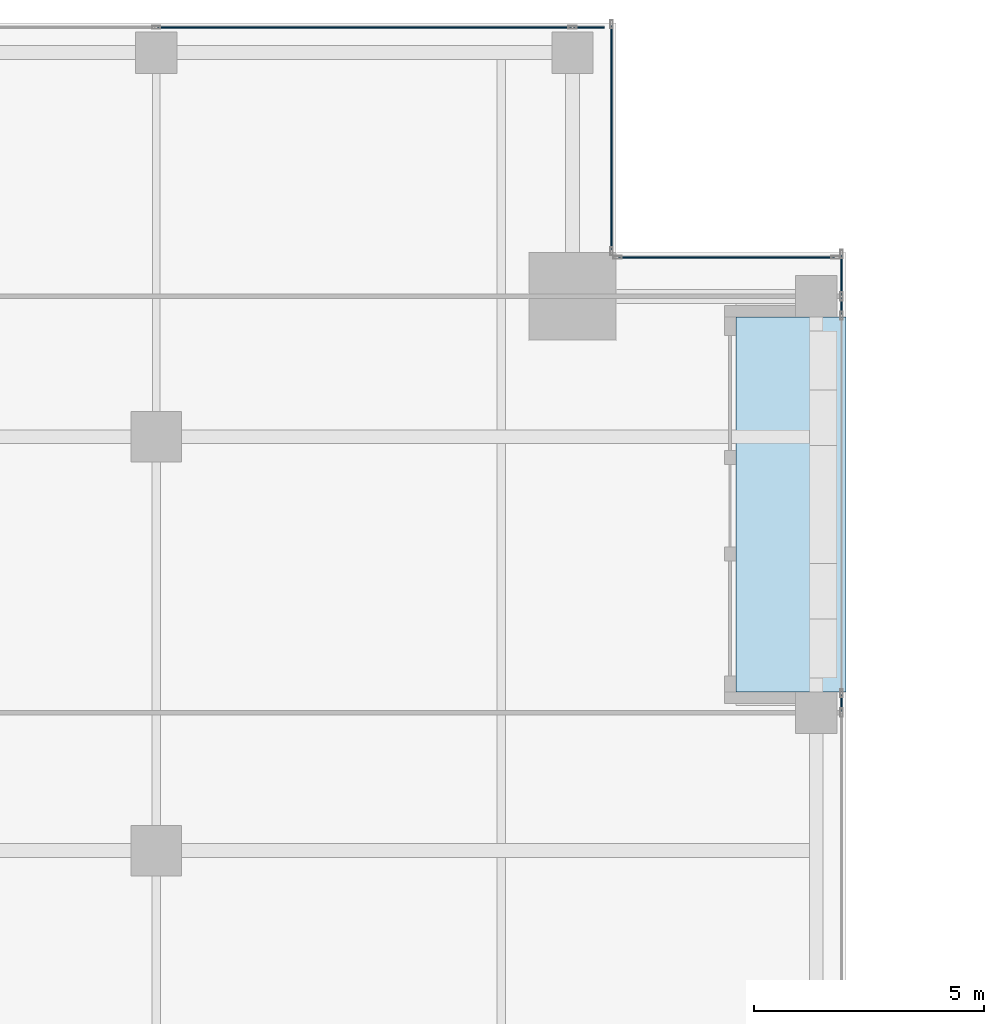
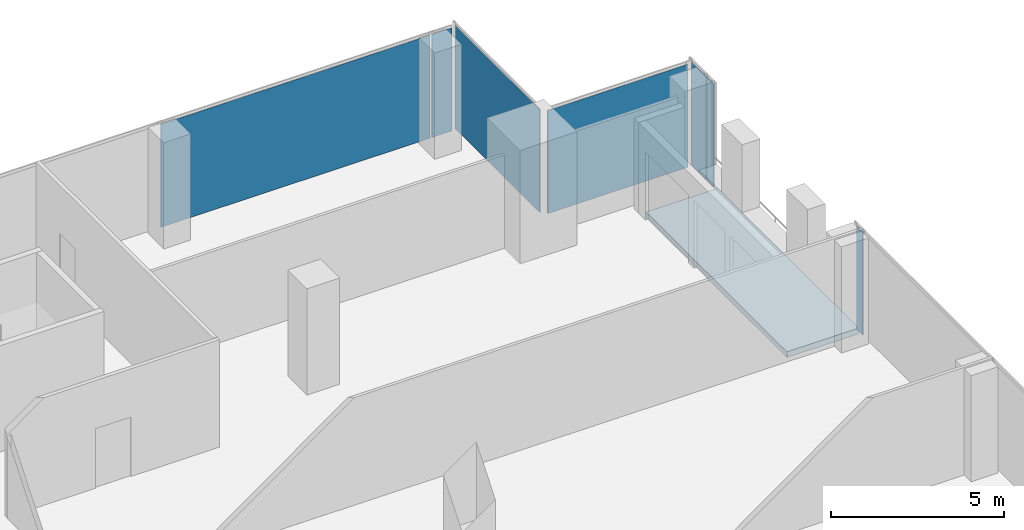
# One storey, part 29 of 35: 7 plates, 1 slab, 5 elements without a shape of their own.
"""IFC4 building model written with IfcOpenShell, lengths in metres."""

from ifc_helpers import new_model, si_unit, direction, frame, origin, origin_2d, place, context, subcontext, project, spatial, polyline, rectangle, outline, extrude, source, transform, mapped, material, layer, layer_set, type_object, element, aggregate, save


model = new_model("IFC4")

# Units and contexts
model_context = context("Model", 3, precision=1e-05, world=origin(), true_north=direction((0.0, 1.0)))
body_context = subcontext(model_context, "Body", "Model", "MODEL_VIEW")
ifc_project = project(units=[si_unit("LENGTHUNIT", "METRE"), si_unit("AREAUNIT", "SQUARE_METRE"), si_unit("VOLUMEUNIT", "CUBIC_METRE"), si_unit("PLANEANGLEUNIT", "RADIAN"), si_unit("MASSUNIT", "GRAM", prefix="KILO")], contexts=[model_context])

# Site, building, storey
site_placement = place(None, origin())
site = spatial("IfcSite", under=ifc_project, at=site_placement, CompositionType="ELEMENT")
building_placement = place(site_placement, origin())
building = spatial("IfcBuilding", under=site, at=building_placement, Name="Khomas Fold Tower", CompositionType="ELEMENT")
storey_placement = place(building_placement, frame((0.0, 0.0, 250.199951171875)))
storey = spatial("IfcBuildingStorey", under=building, at=storey_placement, Name="L56", CompositionType="ELEMENT", Elevation=250.199951171875)

# Curtain wall, plate
ifc_material_1 = material(Name="Aluminium framed double glazing", Category="aluminium")
curtain_wall_type = type_object("IfcCurtainWallType", Name="SK-Unitised clear-glass wall, office floors CW2", PredefinedType="NOTDEFINED", material=ifc_material_1)
curtain_wall_1_placement = place(storey_placement, origin())
curtain_wall_1 = element("IfcCurtainWall", 1, at=curtain_wall_1_placement, inside=storey, type_object=curtain_wall_type, Name="CW2 run L56 06-0", PredefinedType="NOTDEFINED")
ifc_material_2 = material(Name="Clear double glazed unit")
ifc_layer_1 = layer(ifc_material_2, 0.030029296875)
ifc_layer_set_1 = layer_set([ifc_layer_1], Name="Clear double glazed unit")
plate_type = type_object("IfcPlateType", Name="SK-Unitised clear-glass wall, office floors glass panel CW2-P", PredefinedType="CURTAIN_PANEL", material=ifc_layer_set_1)
shared_shape_1 = source(origin(), body_context, "Body", "SweptSolid", [
    extrude(rectangle(XDim=0.659912109375, YDim=0.030029296875, at=origin_2d()), origin(), (0.0, 0.0, 1.0), 3.639892578125),
])
plate_1_placement = place(storey_placement, frame((43.909912109375, 49.39990234375, 0.0), z_axis=(0.0, 0.0, 1.0), x_axis=(-1.0, 0.0, 0.0)))
plate_1 = element("IfcPlate", 2, at=plate_1_placement, type_object=plate_type, Name="CW2 glass panel 1", PredefinedType="CURTAIN_PANEL", context=body_context, shape_type="MappedRepresentation", body=[
    mapped(shared_shape_1, transform((0.0, 0.0, 0.0))),
])

curtain_wall_2_placement = place(storey_placement, origin())
curtain_wall_2 = element("IfcCurtainWall", 3, at=curtain_wall_2_placement, inside=storey, type_object=curtain_wall_type, Name="CW2 run L56 03-1", PredefinedType="NOTDEFINED")
shared_shape_2 = source(origin(), body_context, "Body", "SweptSolid", [
    extrude(rectangle(XDim=0.860107421875, YDim=0.030029296875, at=origin_2d()), origin(), (0.0, 0.0, 1.0), 3.639892578125),
])
plate_2_placement = place(storey_placement, frame((49.39990234375, 44.010009765625, 0.0), z_axis=(0.0, 0.0, 1.0), x_axis=(0.0, 1.0, 0.0)))
plate_2 = element("IfcPlate", 4, at=plate_2_placement, type_object=plate_type, Name="CW2 glass panel 2", PredefinedType="CURTAIN_PANEL", context=body_context, shape_type="MappedRepresentation", body=[
    mapped(shared_shape_2, transform((0.0, 0.0, 0.0))),
])

# Plate
shared_shape_3 = source(origin(), body_context, "Body", "SweptSolid", [
    extrude(rectangle(XDim=8.989990234375, YDim=0.030029296875, at=origin_2d()), origin(), (0.0, 0.0, 1.0), 3.639892578125),
])
plate_3_placement = place(storey_placement, frame((39.02490234375, 49.39990234375, 0.0), z_axis=(0.0, 0.0, 1.0), x_axis=(-1.0, 0.0, 0.0)))
plate_3 = element("IfcPlate", 5, at=plate_3_placement, type_object=plate_type, Name="CW2 glass panel 2", PredefinedType="CURTAIN_PANEL", context=body_context, shape_type="MappedRepresentation", body=[
    mapped(shared_shape_3, transform((0.0, 0.0, 0.0))),
])

aggregate(curtain_wall_1, [plate_1, plate_3])

# Curtain wall, plate
curtain_wall_3_placement = place(storey_placement, origin())
curtain_wall_3 = element("IfcCurtainWall", 6, at=curtain_wall_3_placement, inside=storey, type_object=curtain_wall_type, Name="CW2 corner return L56 04", PredefinedType="NOTDEFINED")
shared_shape_4 = source(origin(), body_context, "Body", "SweptSolid", [
    extrude(rectangle(XDim=4.679931640625, YDim=0.030029296875, at=origin_2d()), origin(), (0.0, 0.0, 1.0), 3.639892578125),
])
plate_4_placement = place(storey_placement, frame((46.89990234375, 44.39990234375, 0.0), z_axis=(0.0, 0.0, 1.0), x_axis=(-1.0, 0.0, 0.0)))
plate_4 = element("IfcPlate", 7, at=plate_4_placement, type_object=plate_type, Name="CW2 glass panel 1", PredefinedType="CURTAIN_PANEL", context=body_context, shape_type="MappedRepresentation", body=[
    mapped(shared_shape_4, transform((0.0, 0.0, 0.0))),
])
aggregate(curtain_wall_3, [plate_4])

curtain_wall_4_placement = place(storey_placement, origin())
curtain_wall_4 = element("IfcCurtainWall", 8, at=curtain_wall_4_placement, inside=storey, type_object=curtain_wall_type, Name="CW2 corner return L56 05", PredefinedType="NOTDEFINED")
shared_shape_5 = source(origin(), body_context, "Body", "SweptSolid", [
    extrude(rectangle(XDim=4.8798828125, YDim=0.030029296875, at=origin_2d()), origin(), (0.0, 0.0, 1.0), 3.639892578125),
])
plate_5_placement = place(storey_placement, frame((44.39990234375, 47.0, 0.0), z_axis=(0.0, 0.0, 1.0), x_axis=(0.0, 1.0, 0.0)))
plate_5 = element("IfcPlate", 9, at=plate_5_placement, type_object=plate_type, Name="CW2 glass panel 1", PredefinedType="CURTAIN_PANEL", context=body_context, shape_type="MappedRepresentation", body=[
    mapped(shared_shape_5, transform((0.0, 0.0, 0.0))),
])
aggregate(curtain_wall_4, [plate_5])

curtain_wall_5_placement = place(storey_placement, origin())
curtain_wall_5 = element("IfcCurtainWall", 10, at=curtain_wall_5_placement, inside=storey, type_object=curtain_wall_type, Name="CW2 run L56 03-0", PredefinedType="NOTDEFINED")
shared_shape_6 = source(origin(), body_context, "Body", "SweptSolid", [
    extrude(rectangle(XDim=0.360107421875, YDim=0.030029296875, at=origin_2d()), origin(), (0.0, 0.0, 1.0), 3.639892578125),
])
plate_6_placement = place(storey_placement, frame((49.39990234375, 34.7099609375, 0.0), z_axis=(0.0, 0.0, 1.0), x_axis=(0.0, 1.0, 0.0)))
plate_6 = element("IfcPlate", 11, at=plate_6_placement, type_object=plate_type, Name="CW2 glass panel 5", PredefinedType="CURTAIN_PANEL", context=body_context, shape_type="MappedRepresentation", body=[
    mapped(shared_shape_6, transform((0.0, 0.0, 0.0))),
])
aggregate(curtain_wall_5, [plate_6])

# Plate
plate_7_placement = place(storey_placement, frame((49.39990234375, 43.340087890625, 0.0), z_axis=(0.0, 0.0, 1.0), x_axis=(0.0, 1.0, 0.0)))
plate_7 = element("IfcPlate", 12, at=plate_7_placement, type_object=plate_type, Name="CW2 glass panel 1", PredefinedType="CURTAIN_PANEL", context=body_context, shape_type="MappedRepresentation", body=[
    mapped(shared_shape_6, transform((0.0, 0.0, 0.0))),
])

aggregate(curtain_wall_2, [plate_7, plate_2])

# Slab
ifc_material_3 = material(Name="Concrete C40/50", Category="concrete")
ifc_layer_2 = layer(ifc_material_3, 0.205078125)
ifc_layer_set_2 = layer_set([ifc_layer_2], Name="Concrete C40/50")
slab_type = type_object("IfcSlabType", Name="BL-Balcony deck 205", PredefinedType="FLOOR", material=ifc_layer_set_2)
shared_shape_7 = source(origin(), body_context, "Body", "SweptSolid", [
    extrude(outline(polyline([(47.10009765625, 34.949951171875), (49.5, 34.949951171875), (49.5, 43.10009765625), (47.10009765625, 43.10009765625), (47.10009765625, 34.949951171875)])), origin(), (0.0, 0.0, 1.0), 0.205078125),
])
slab_placement = place(storey_placement, frame((0.0, 0.0, -0.25)))
element("IfcSlab", 13, at=slab_placement, inside=storey, type_object=slab_type, Name="Balcony deck BAL-L56-E4", PredefinedType="FLOOR", context=body_context, shape_type="MappedRepresentation", body=[
    mapped(shared_shape_7, transform((0.0, 0.0, 0.0))),
])

save(model, "model.ifc")
